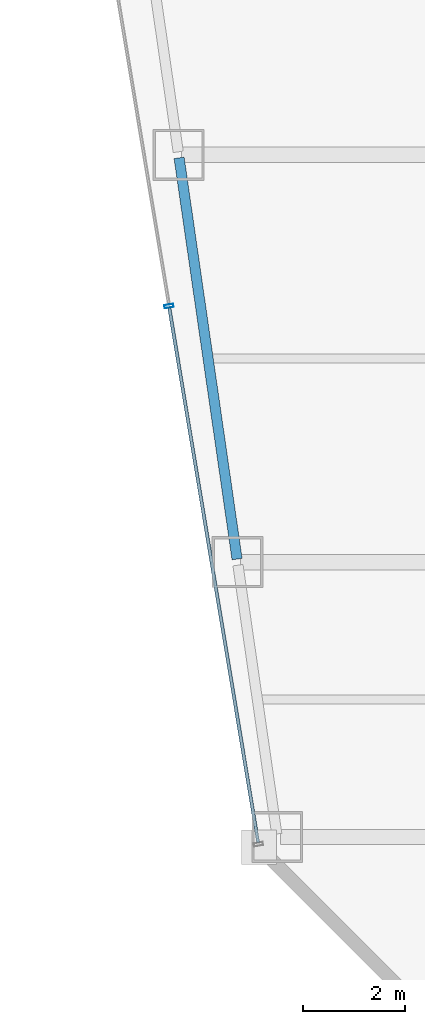
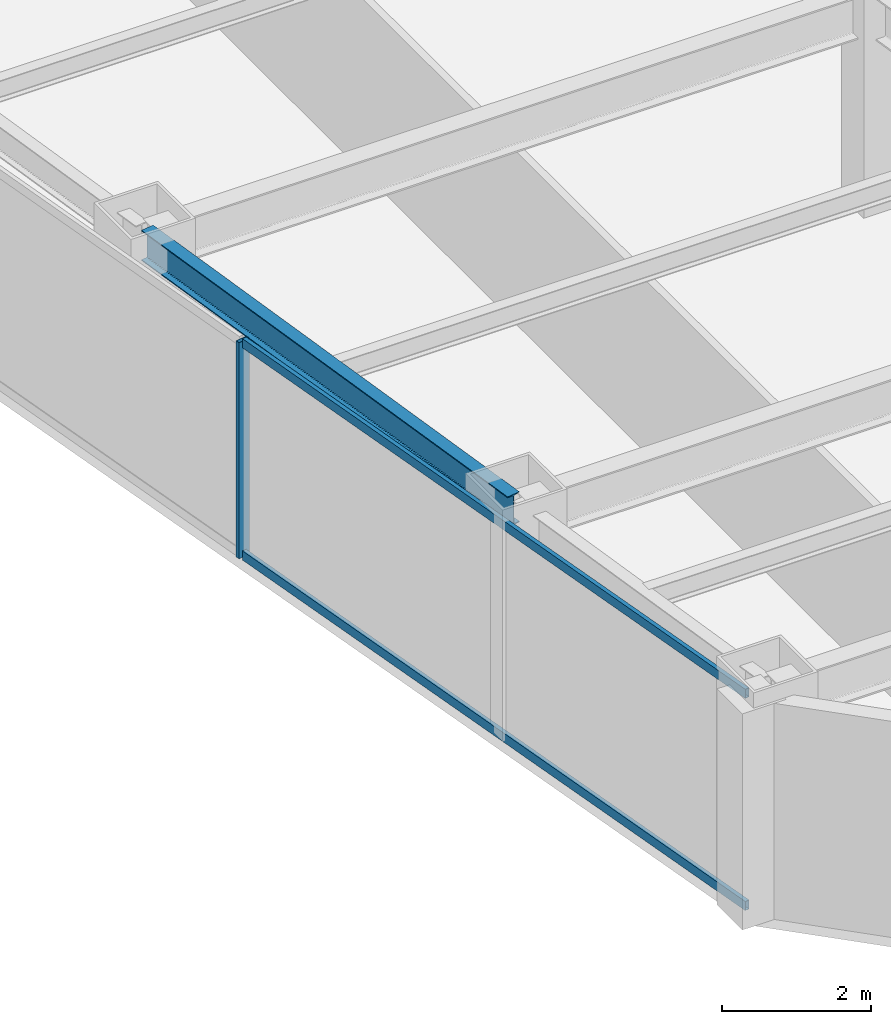
# One storey, part 3 of 36: 3 members, 1 beam, 1 element without a shape of its own.
"""IFC4 building model written with IfcOpenShell, lengths in metres."""

from ifc_helpers import new_model, si_unit, direction, frame, origin, origin_2d, place, context, subcontext, project, spatial, hollow_rectangle, i_section, extrude, material, material_profile, profile_set, type_object, element, aggregate, save


model = new_model("IFC4")

# Units and contexts
model_context = context("Model", 3, precision=1e-05, world=origin(), true_north=direction((0.0, 1.0)))
body_context = subcontext(model_context, "Body", "Model", "MODEL_VIEW")
ifc_project = project(units=[si_unit("LENGTHUNIT", "METRE"), si_unit("AREAUNIT", "SQUARE_METRE"), si_unit("VOLUMEUNIT", "CUBIC_METRE"), si_unit("PLANEANGLEUNIT", "RADIAN"), si_unit("MASSUNIT", "GRAM", prefix="KILO")], contexts=[model_context])

# Site, building, storey
site_placement = place(None, origin())
site = spatial("IfcSite", under=ifc_project, at=site_placement, CompositionType="ELEMENT")
building_placement = place(site_placement, origin())
building = spatial("IfcBuilding", under=site, at=building_placement, Name="Saevonmaru Cultural Tower", CompositionType="ELEMENT")
storey_placement = place(building_placement, frame((0.0, 0.0, 148.60009765625)))
storey = spatial("IfcBuildingStorey", under=building, at=storey_placement, Name="L32", CompositionType="ELEMENT", Elevation=148.60009765625)

# Beam
ifc_material_1 = material(Name="Steel SM355", Category="steel")
ifc_material_profile_1 = material_profile(ifc_material_1, i_section(OverallWidth=0.199951171875, OverallDepth=0.5, WebThickness=0.010009765625, FlangeThickness=0.01611328125, FilletRadius=0.02001953125, at=origin_2d()), Name="H-500x200x10x16")
ifc_profile_set_1 = profile_set([ifc_material_profile_1], Name="Steel SM355")
beam_type = type_object("IfcBeamType", Name="BM-SP-H500", PredefinedType="SPANDREL", material=ifc_profile_set_1)
beam_placement = place(storey_placement, frame((10.619384765625, 16.059326171875, 3.2998046875), z_axis=(-0.142992129437, 0.989723825579, 0.0), x_axis=(-0.989723825579, -0.142992129437, 0.0)))
element("IfcBeam", 1, at=beam_placement, inside=storey, type_object=beam_type, Name="L32 West Splayed Spandrel 2", PredefinedType="SPANDREL", context=body_context, shape_type="SweptSolid", body=[
    extrude(i_section(OverallWidth=0.199951171875, OverallDepth=0.5, WebThickness=0.010009765625, FlangeThickness=0.01611328125, FilletRadius=0.02001953125, at=origin_2d()), origin(), (0.0, 0.0, 1.0), 7.963134765625),
])

# Curtain wall, members
ifc_material_2 = material(Name="Satin Bronze Anodised Aluminium", Category="aluminium")
curtain_wall_type = type_object("IfcCurtainWallType", Name="CW-TYP-A", PredefinedType="NOTDEFINED", material=ifc_material_2)
curtain_wall_placement = place(storey_placement, origin())
curtain_wall = element("IfcCurtainWall", 2, at=curtain_wall_placement, inside=storey, type_object=curtain_wall_type, Name="L32 Unitised Curtain Wall E12", PredefinedType="NOTDEFINED")
ifc_material_profile_2 = material_profile(ifc_material_2, hollow_rectangle(XDim=0.06494140625, YDim=0.179931640625, WallThickness=0.00390625, at=origin_2d()), Name="ALU-MULL-180x65x4")
ifc_profile_set_2 = profile_set([ifc_material_profile_2], Name="Satin Bronze Anodised Aluminium")
member_type_1 = type_object("IfcMemberType", Name="ML-CW-180x65", PredefinedType="MULLION", material=ifc_profile_set_2)
member_1_placement = place(storey_placement, frame((9.28173828125, 21.029541015625, 0.0), z_axis=(0.0, 0.0, 1.0), x_axis=(0.163998702345, -0.986460554523, 0.0)))
member_1 = element("IfcMember", 3, at=member_1_placement, type_object=member_type_1, Name="CW-TW-L32-E12 mullion 4", PredefinedType="MULLION", context=body_context, shape_type="SweptSolid", body=[
    extrude(hollow_rectangle(XDim=0.06494140625, YDim=0.179931640625, WallThickness=0.00390625, at=origin_2d()), origin(), (0.0, 0.0, 1.0), 3.5498046875),
])
ifc_material_profile_3 = material_profile(ifc_material_2, hollow_rectangle(XDim=0.06494140625, YDim=0.14990234375, WallThickness=0.00390625, at=origin_2d()), Name="ALU-TRAN-150x65x4")
ifc_profile_set_3 = profile_set([ifc_material_profile_3], Name="Satin Bronze Anodised Aluminium")
member_type_2 = type_object("IfcMemberType", Name="TR-CW-150x65", PredefinedType="USERDEFINED", material=ifc_profile_set_3)
member_2_placement = place(storey_placement, frame((9.287109375, 20.99755859375, 0.032470703125), z_axis=(0.163990079074, -0.9864619881, 0.0), x_axis=(0.9864619881, 0.163990079074, 0.0)))
member_2 = element("IfcMember", 4, at=member_2_placement, type_object=member_type_2, Name="CW-TW-L32-E12 transom 4.1", ObjectType="TRANSOM", PredefinedType="USERDEFINED", context=body_context, shape_type="SweptSolid", body=[
    extrude(hollow_rectangle(XDim=0.06494140625, YDim=0.14990234375, WallThickness=0.00390625, at=origin_2d()), origin(), (0.0, 0.0, 1.0), 10.650634765625),
])
member_3_placement = place(storey_placement, frame((9.287109375, 20.99755859375, 3.517333984375), z_axis=(0.163990079074, -0.9864619881, 0.0), x_axis=(0.9864619881, 0.163990079074, 0.0)))
member_3 = element("IfcMember", 5, at=member_3_placement, type_object=member_type_2, Name="CW-TW-L32-E12 transom 4.2", ObjectType="TRANSOM", PredefinedType="USERDEFINED", context=body_context, shape_type="SweptSolid", body=[
    extrude(hollow_rectangle(XDim=0.06494140625, YDim=0.14990234375, WallThickness=0.00390625, at=origin_2d()), origin(), (0.0, 0.0, 1.0), 10.650634765625),
])
aggregate(curtain_wall, [member_1, member_2, member_3])

save(model, "model.ifc")
